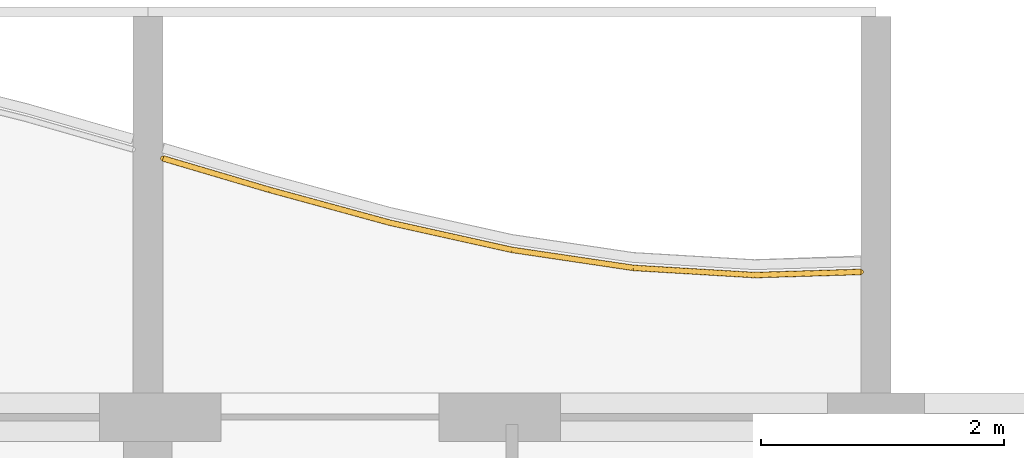
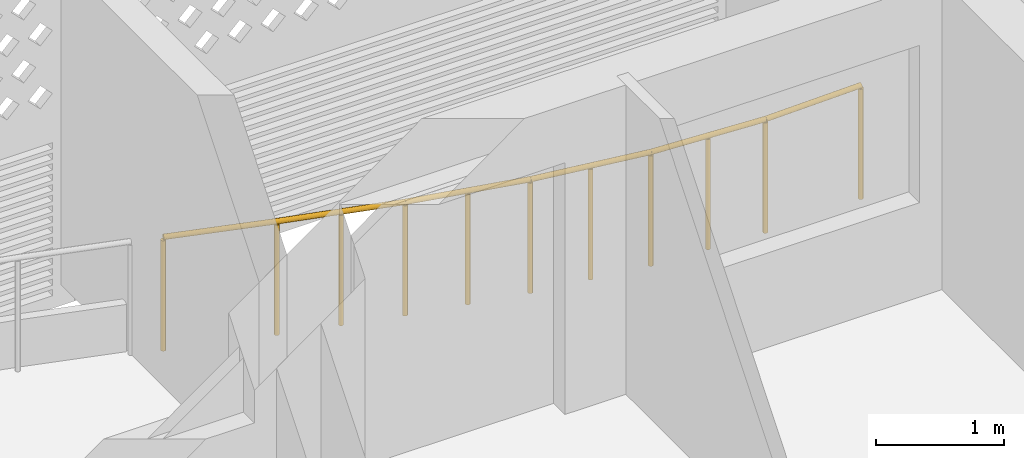
# One storey, part 27 of 39: 1 railing.
"""IFC4 building model written with IfcOpenShell, lengths in metres."""

from ifc_helpers import new_model, si_unit, direction, frame, origin, origin_2d, place, context, subcontext, project, spatial, circle, extrude, material, type_object, element, save


model = new_model("IFC4")

# Units and contexts
model_context = context("Model", 3, precision=1e-05, world=origin(), true_north=direction((0.0, 1.0)))
body_context = subcontext(model_context, "Body", "Model", "MODEL_VIEW")
ifc_project = project(units=[si_unit("LENGTHUNIT", "METRE"), si_unit("AREAUNIT", "SQUARE_METRE"), si_unit("VOLUMEUNIT", "CUBIC_METRE"), si_unit("PLANEANGLEUNIT", "RADIAN"), si_unit("MASSUNIT", "GRAM", prefix="KILO")], contexts=[model_context])

# Site, building, storey
site_placement = place(None, origin())
site = spatial("IfcSite", under=ifc_project, at=site_placement, CompositionType="ELEMENT")
building_placement = place(site_placement, origin())
building = spatial("IfcBuilding", under=site, at=building_placement, Name="Poui Terraces", CompositionType="ELEMENT")
storey_placement = place(building_placement, frame((0.0, 0.0, 63.0)))
storey = spatial("IfcBuildingStorey", under=building, at=storey_placement, Name="L17", CompositionType="ELEMENT", Elevation=63.0)

# Railing
ifc_material = material(Name="Painted steel fretwork", Category="steel")
railing_type = type_object("IfcRailingType", Name="BALCONY GUARD 1100", PredefinedType="GUARDRAIL", material=ifc_material)
railing_placement = place(storey_placement, frame((42.125, 46.93212890625, 0.0)))
element("IfcRailing", 1, at=railing_placement, inside=storey, type_object=railing_type, Name="BALCONY GUARD", PredefinedType="GUARDRAIL", context=body_context, shape_type="SweptSolid", body=[
    extrude(circle(Radius=0.02392578125, at=origin_2d()), frame((0.0, 0.0, 1.076171875), z_axis=(0.959011097716, -0.283368513527, 0.0), x_axis=(0.283368513527, 0.959011097716, 0.0)), (0.0, 0.0, 1.0), 0.912353515625),
    extrude(circle(Radius=0.02392578125, at=origin_2d()), frame((0.875, -0.258544921875, 1.076171875), z_axis=(0.964709448785, -0.263316690367, 0.0), x_axis=(0.263316690367, 0.964709448785, 0.0)), (0.0, 0.0, 1.0), 1.03662109375),
    extrude(circle(Radius=0.02392578125, at=origin_2d()), frame((1.875, -0.531494140625, 1.076171875), z_axis=(0.976198274393, -0.216879987719, 0.0), x_axis=(0.216879987719, 0.976198274393, 0.0)), (0.0, 0.0, 1.0), 1.0244140625),
    extrude(circle(Radius=0.02392578125, at=origin_2d()), frame((2.875, -0.753662109375, 1.076171875), z_axis=(0.989161931015, -0.146828724135, 0.0), x_axis=(0.146828724135, 0.989161931015, 0.0)), (0.0, 0.0, 1.0), 1.010986328125),
    extrude(circle(Radius=0.02392578125, at=origin_2d()), frame((3.875, -0.902099609375, 1.076171875), z_axis=(0.998244834412, -0.05922204462, 0.0), x_axis=(0.05922204462, 0.998244834412, 0.0)), (0.0, 0.0, 1.0), 1.001708984375),
    extrude(circle(Radius=0.02392578125, at=origin_2d()), frame((4.875, -0.96142578125, 1.076171875), z_axis=(0.999554639848, 0.029841614527, 0.0), x_axis=(-0.029841614527, 0.999554639848, 0.0)), (0.0, 0.0, 1.0), 0.87548828125),
    extrude(circle(Radius=0.02099609375, at=origin_2d()), origin(), (0.0, 0.0, 1.0), 1.052001953125),
    extrude(circle(Radius=0.02099609375, at=origin_2d()), frame((0.875, -0.258544921875, 0.0)), (0.0, 0.0, 1.0), 1.052001953125),
    extrude(circle(Radius=0.02099609375, at=origin_2d()), frame((1.375, -0.39501953125, 0.0)), (0.0, 0.0, 1.0), 1.052001953125),
    extrude(circle(Radius=0.02099609375, at=origin_2d()), frame((1.875, -0.531494140625, 0.0)), (0.0, 0.0, 1.0), 1.052001953125),
    extrude(circle(Radius=0.02099609375, at=origin_2d()), frame((2.375, -0.642578125, 0.0)), (0.0, 0.0, 1.0), 1.052001953125),
    extrude(circle(Radius=0.02099609375, at=origin_2d()), frame((2.875, -0.753662109375, 0.0)), (0.0, 0.0, 1.0), 1.052001953125),
    extrude(circle(Radius=0.02099609375, at=origin_2d()), frame((3.375, -0.827880859375, 0.0)), (0.0, 0.0, 1.0), 1.052001953125),
    extrude(circle(Radius=0.02099609375, at=origin_2d()), frame((3.875, -0.902099609375, 0.0)), (0.0, 0.0, 1.0), 1.052001953125),
    extrude(circle(Radius=0.02099609375, at=origin_2d()), frame((4.375, -0.931640625, 0.0)), (0.0, 0.0, 1.0), 1.052001953125),
    extrude(circle(Radius=0.02099609375, at=origin_2d()), frame((4.875, -0.96142578125, 0.0)), (0.0, 0.0, 1.0), 1.052001953125),
    extrude(circle(Radius=0.02099609375, at=origin_2d()), frame((5.75, -0.935302734375, 0.0)), (0.0, 0.0, 1.0), 1.052001953125),
])

save(model, "model.ifc")
